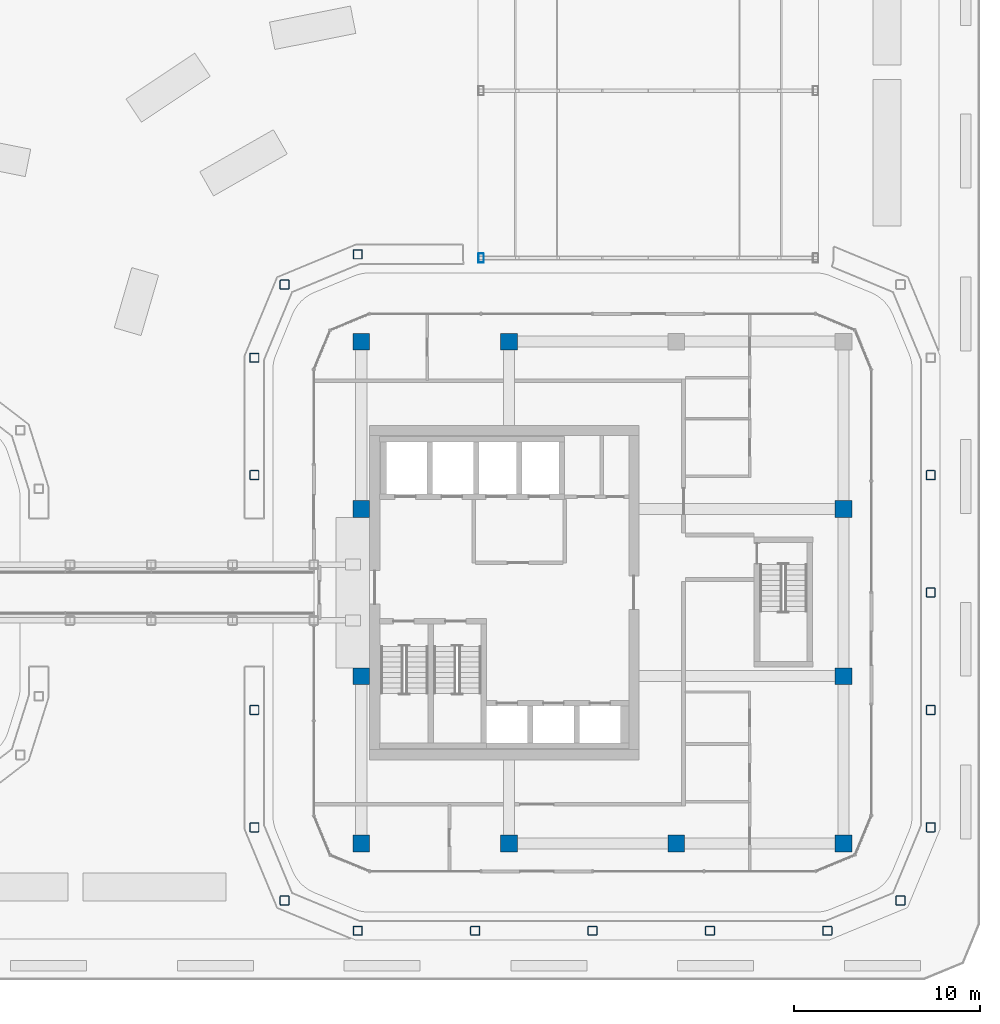
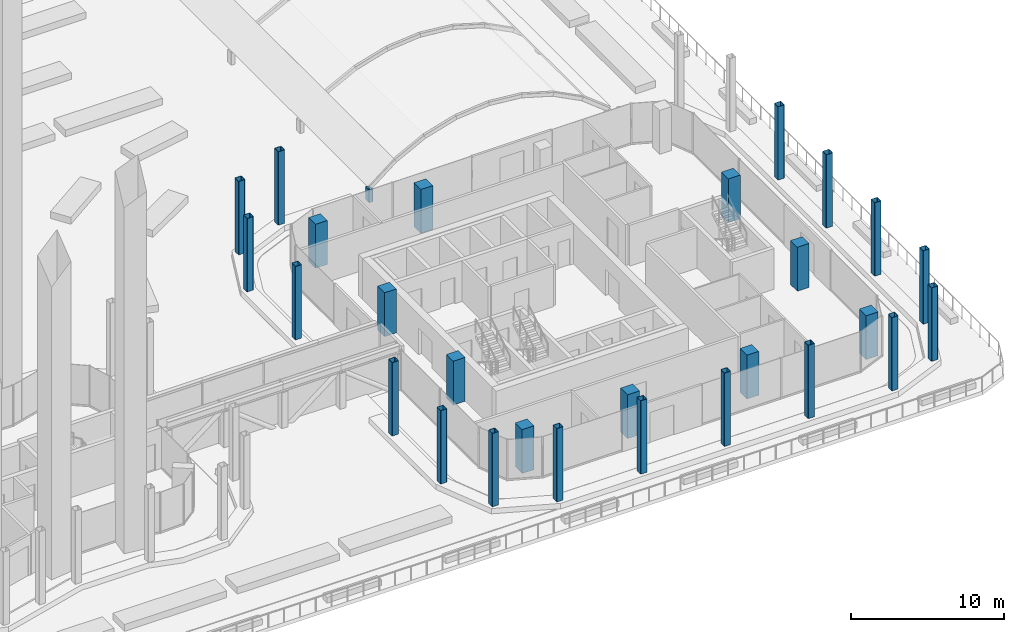
# One storey, part 3 of 33: 28 columns.
"""IFC4 building model written with IfcOpenShell, lengths in metres."""

from ifc_helpers import new_model, si_unit, direction, frame, origin, origin_2d, place, context, subcontext, project, spatial, rectangle, hollow_rectangle, extrude, material, material_profile, profile_set, type_object, element, save


model = new_model("IFC4")

# Units and contexts
model_context = context("Model", 3, precision=1e-05, world=origin(), true_north=direction((0.0, 1.0)))
body_context = subcontext(model_context, "Body", "Model", "MODEL_VIEW")
ifc_project = project(units=[si_unit("LENGTHUNIT", "METRE"), si_unit("AREAUNIT", "SQUARE_METRE"), si_unit("VOLUMEUNIT", "CUBIC_METRE"), si_unit("PLANEANGLEUNIT", "RADIAN"), si_unit("MASSUNIT", "GRAM", prefix="KILO")], contexts=[model_context])

# Site, building, storey
site_placement = place(None, origin())
site = spatial("IfcSite", under=ifc_project, at=site_placement, CompositionType="ELEMENT")
building_placement = place(site_placement, origin())
building = spatial("IfcBuilding", under=site, at=building_placement, Name="Plateau Cross Towers", CompositionType="ELEMENT")
storey_placement = place(building_placement, frame((0.0, 0.0, 26.800048828125)))
storey = spatial("IfcBuildingStorey", under=building, at=storey_placement, Name="L05", CompositionType="ELEMENT", Elevation=26.800048828125)

# Columns
ifc_material_1 = material(Name="Concrete C60/75", Category="concrete")
ifc_material_profile_1 = material_profile(ifc_material_1, rectangle(XDim=0.89990234375, YDim=0.89990234375, at=origin_2d()), Name="RC 900x900")
ifc_profile_set_1 = profile_set([ifc_material_profile_1], Name="Concrete C60/75")
column_type_1 = type_object("IfcColumnType", Name="Office column RC 900x900", PredefinedType="COLUMN", material=ifc_profile_set_1)
for number, where, z_axis, x_axis, name in (
    (1, (74.550048828125, -4.5, 0.0), (0.0, 0.0, 1.0), (1.0, 0.0, 0.0), "B-C746_-45 L05"),
    (2, (82.5, -4.5, 0.0), (0.0, 0.0, 1.0), (1.0, 0.0, 0.0), "B-C825_-45 L05"),
    (3, (91.5, -4.5, 0.0), (0.0, 0.0, 1.0), (1.0, 0.0, 0.0), "B-C915_-45 L05"),
    (4, (100.5, -4.5, 0.0), (0.0, 0.0, 1.0), (1.0, 0.0, 0.0), "B-C1005_-45 L05"),
    (5, (100.5, 4.5, 0.0), (0.0, 0.0, 1.0), (1.0, 0.0, 0.0), "B-C1005_45 L05"),
    (6, (100.5, 13.5, 0.0), (0.0, 0.0, 1.0), (1.0, 0.0, 0.0), "B-C1005_135 L05"),
    (7, (82.5, 22.5, 0.0), (0.0, 0.0, 1.0), (1.0, 0.0, 0.0), "B-C825_225 L05"),
    (8, (74.550048828125, 22.5, 0.0), (0.0, 0.0, 1.0), (1.0, 0.0, 0.0), "B-C746_225 L05"),
    (9, (74.550048828125, 13.5, 0.0), (0.0, 0.0, 1.0), (1.0, 0.0, 0.0), "B-C746_135 L05"),
    (10, (74.550048828125, 4.5, 0.0), (0.0, 0.0, 1.0), (1.0, 0.0, 0.0), "B-C746_45 L05"),
):
    element("IfcColumn", number, at=place(storey_placement, frame(where, z_axis=z_axis, x_axis=x_axis)), inside=storey, type_object=column_type_1, Name=name, PredefinedType="COLUMN", context=body_context, shape_type="SweptSolid", body=[
        extrude(rectangle(XDim=0.89990234375, YDim=0.89990234375, at=origin_2d()), origin(), (0.0, 0.0, 1.0), 3.5),
    ])
ifc_material_2 = material(Name="Steel S355", Category="steel")
ifc_material_profile_2 = material_profile(ifc_material_2, hollow_rectangle(XDim=0.300048828125, YDim=0.5, WallThickness=0.01611328125, InnerFilletRadius=0.01611328125, OuterFilletRadius=0.031982421875, at=origin_2d()), Name="RHS 500x300x16")
ifc_profile_set_2 = profile_set([ifc_material_profile_2], Name="Steel S355")
column_type_2 = type_object("IfcColumnType", Name="Pavilion post RHS 500x300x16", PredefinedType="COLUMN", material=ifc_profile_set_2)
column_placement = place(storey_placement, frame((81.0, 27.0, 0.0), z_axis=(0.0, 0.0, 1.0), x_axis=(1.0, 0.0, 0.0)))
element("IfcColumn", 11, at=column_placement, inside=storey, type_object=column_type_2, Name="Pavilion post 1-1", PredefinedType="COLUMN", context=body_context, shape_type="SweptSolid", body=[
    extrude(hollow_rectangle(XDim=0.300048828125, YDim=0.5, WallThickness=0.01611328125, InnerFilletRadius=0.01611328125, OuterFilletRadius=0.031982421875, at=origin_2d()), origin(), (0.0, 0.0, 1.0), 1.0),
])
ifc_material_profile_3 = material_profile(ifc_material_2, hollow_rectangle(XDim=0.5, YDim=0.5, WallThickness=0.02490234375, InnerFilletRadius=0.02490234375, OuterFilletRadius=0.050048828125, at=origin_2d()), Name="SHS 500x500x25")
ifc_profile_set_3 = profile_set([ifc_material_profile_3], Name="Steel S355")
column_type_3 = type_object("IfcColumnType", Name="Plinth column SHS 500x500x25", PredefinedType="COLUMN", material=ifc_profile_set_3)
for number, where, z_axis, x_axis, name in (
    (12, (70.429443359375, -7.570556640625, 0.449951171875), (0.0, 0.0, 1.0), (1.0, 0.0, 0.0), "Plinth column 01"),
    (13, (68.800048828125, -3.636474609375, 0.449951171875), (0.0, 0.0, 1.0), (1.0, 0.0, 0.0), "Plinth column 02"),
    (14, (68.800048828125, 2.681640625, 0.449951171875), (0.0, 0.0, 1.0), (1.0, 0.0, 0.0), "Plinth column 03"),
    (15, (68.800048828125, 15.318359375, 0.449951171875), (0.0, 0.0, 1.0), (1.0, 0.0, 0.0), "Plinth column 04"),
    (16, (68.800048828125, 21.636474609375, 0.449951171875), (0.0, 0.0, 1.0), (1.0, 0.0, 0.0), "Plinth column 05"),
    (17, (70.429443359375, 25.570556640625, 0.449951171875), (0.0, 0.0, 1.0), (1.0, 0.0, 0.0), "Plinth column 06"),
    (18, (74.363525390625, 27.199951171875, 0.449951171875), (0.0, 0.0, 1.0), (1.0, 0.0, 0.0), "Plinth column 07"),
    (19, (105.199951171875, 15.318359375, 0.449951171875), (0.0, 0.0, 1.0), (1.0, 0.0, 0.0), "Plinth column 10"),
    (20, (105.199951171875, 9.0, 0.449951171875), (0.0, 0.0, 1.0), (1.0, 0.0, 0.0), "Plinth column 11"),
    (21, (105.199951171875, 2.681640625, 0.449951171875), (0.0, 0.0, 1.0), (1.0, 0.0, 0.0), "Plinth column 12"),
    (22, (105.199951171875, -3.636474609375, 0.449951171875), (0.0, 0.0, 1.0), (1.0, 0.0, 0.0), "Plinth column 13"),
    (23, (103.570556640625, -7.570556640625, 0.449951171875), (0.0, 0.0, 1.0), (1.0, 0.0, 0.0), "Plinth column 14"),
    (24, (99.636474609375, -9.199951171875, 0.449951171875), (0.0, 0.0, 1.0), (1.0, 0.0, 0.0), "Plinth column 15"),
    (25, (93.318359375, -9.199951171875, 0.449951171875), (0.0, 0.0, 1.0), (1.0, 0.0, 0.0), "Plinth column 16"),
    (26, (87.0, -9.199951171875, 0.449951171875), (0.0, 0.0, 1.0), (1.0, 0.0, 0.0), "Plinth column 17"),
    (27, (80.681640625, -9.199951171875, 0.449951171875), (0.0, 0.0, 1.0), (1.0, 0.0, 0.0), "Plinth column 18"),
    (28, (74.363525390625, -9.199951171875, 0.449951171875), (0.0, 0.0, 1.0), (1.0, 0.0, 0.0), "Plinth column 19"),
):
    element("IfcColumn", number, at=place(storey_placement, frame(where, z_axis=z_axis, x_axis=x_axis)), inside=storey, type_object=column_type_3, Name=name, PredefinedType="COLUMN", context=body_context, shape_type="SweptSolid", body=[
        extrude(hollow_rectangle(XDim=0.5, YDim=0.5, WallThickness=0.02490234375, InnerFilletRadius=0.02490234375, OuterFilletRadius=0.050048828125, at=origin_2d()), origin(), (0.0, 0.0, 1.0), 5.85009765625),
    ])

save(model, "model.ifc")
